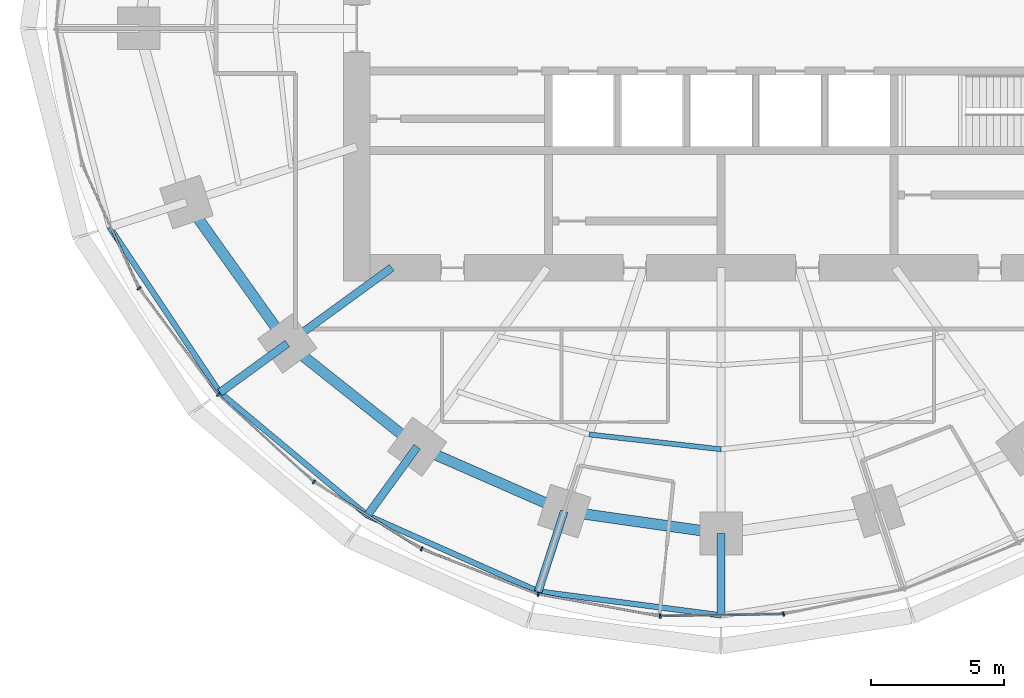
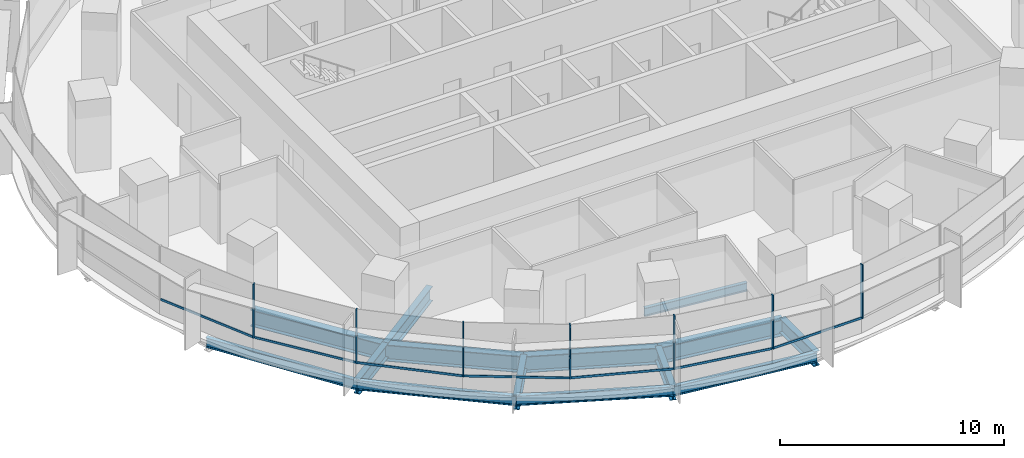
# One storey, part 2 of 14: 14 beams, 14 members, 2 elements without a shape of their own.
"""IFC4 building model written with IfcOpenShell, lengths in metres."""

from ifc_helpers import new_model, si_unit, direction, frame, origin, origin_2d, place, context, subcontext, project, spatial, rectangle, i_section, extrude, material, material_profile, profile_set, type_object, element, aggregate, save


model = new_model("IFC4")

# Units and contexts
model_context = context("Model", 3, precision=1e-05, world=origin(), true_north=direction((0.0, 1.0)))
body_context = subcontext(model_context, "Body", "Model", "MODEL_VIEW")
ifc_project = project(units=[si_unit("LENGTHUNIT", "METRE"), si_unit("AREAUNIT", "SQUARE_METRE"), si_unit("VOLUMEUNIT", "CUBIC_METRE"), si_unit("PLANEANGLEUNIT", "RADIAN"), si_unit("MASSUNIT", "GRAM", prefix="KILO")], contexts=[model_context])

# Site, building, storey
site_placement = place(None, origin())
site = spatial("IfcSite", under=ifc_project, at=site_placement, CompositionType="ELEMENT")
building_placement = place(site_placement, origin())
building = spatial("IfcBuilding", under=site, at=building_placement, Name="Marramba Exchange Tower", CompositionType="ELEMENT")
storey_placement = place(building_placement, frame((0.0, 0.0, 111.89990234375)))
storey = spatial("IfcBuildingStorey", under=building, at=storey_placement, Name="L26", CompositionType="ELEMENT", Elevation=111.89990234375)

# Beams
ifc_material_1 = material(Name="Steel AS/NZS 3679.2 grade 300", Category="steel")
ifc_material_profile_1 = material_profile(ifc_material_1, i_section(OverallWidth=0.300048828125, OverallDepth=0.800048828125, WebThickness=0.013916015625, FlangeThickness=0.031982421875, at=origin_2d()), Name="800WB192")
ifc_profile_set_1 = profile_set([ifc_material_profile_1], Name="Steel AS/NZS 3679.2 grade 300")
beam_type_1 = type_object("IfcBeamType", Name="Cantilever girder 800WB192", PredefinedType="BEAM", material=ifc_profile_set_1)
beam_1_placement = place(storey_placement, frame((-16.3154296875, -11.853759765625, -0.559814453125), z_axis=(-0.809025813822, -0.587773113173, 0.0), x_axis=(0.587773113173, -0.809025813822, 0.0)))
element("IfcBeam", 1, at=beam_1_placement, inside=storey, type_object=beam_type_1, Name="Cantilever girder L26 TC13", PredefinedType="BEAM", context=body_context, shape_type="SweptSolid", body=[
    extrude(i_section(OverallWidth=0.300048828125, OverallDepth=0.800048828125, WebThickness=0.013916015625, FlangeThickness=0.031982421875, at=origin_2d()), origin(), (0.0, 0.0, 1.0), 3.132568359375),
])
beam_2_placement = place(storey_placement, frame((-11.430419921875, -15.732666015625, -0.559814453125), z_axis=(-0.587767308424, -0.809030031054, 0.0), x_axis=(0.809030031054, -0.587767308424, 0.0)))
element("IfcBeam", 2, at=beam_2_placement, inside=storey, type_object=beam_type_1, Name="Cantilever girder L26 TC14", PredefinedType="BEAM", context=body_context, shape_type="SweptSolid", body=[
    extrude(i_section(OverallWidth=0.300048828125, OverallDepth=0.800048828125, WebThickness=0.013916015625, FlangeThickness=0.031982421875, at=origin_2d()), origin(), (0.0, 0.0, 1.0), 3.195556640625),
])
beam_3_placement = place(storey_placement, frame((-5.899658203125, -18.156982421875, -0.559814453125), z_axis=(-0.309018232614, -0.951056113966, 0.0), x_axis=(0.951056113966, -0.309018232614, 0.0)))
element("IfcBeam", 3, at=beam_3_placement, inside=storey, type_object=beam_type_1, Name="Cantilever girder L26 TC15", PredefinedType="BEAM", context=body_context, shape_type="SweptSolid", body=[
    extrude(i_section(OverallWidth=0.300048828125, OverallDepth=0.800048828125, WebThickness=0.013916015625, FlangeThickness=0.031982421875, at=origin_2d()), origin(), (0.0, 0.0, 1.0), 3.173583984375),
])
beam_4_placement = place(storey_placement, frame((0.0, -18.99609375, -0.559814453125), z_axis=(0.0, -1.0, 0.0), x_axis=(1.0, 0.0, 0.0)))
element("IfcBeam", 4, at=beam_4_placement, inside=storey, type_object=beam_type_1, Name="Cantilever girder L26 TC16", PredefinedType="BEAM", context=body_context, shape_type="SweptSolid", body=[
    extrude(i_section(OverallWidth=0.300048828125, OverallDepth=0.800048828125, WebThickness=0.013916015625, FlangeThickness=0.031982421875, at=origin_2d()), origin(), (0.0, 0.0, 1.0), 3.080810546875),
])
ifc_material_2 = material(Name="Steel AS/NZS 3679.1 grade 300", Category="steel")
ifc_material_profile_2 = material_profile(ifc_material_2, i_section(OverallWidth=0.18994140625, OverallDepth=0.4541015625, WebThickness=0.008544921875, FlangeThickness=0.0126953125, FilletRadius=0.011474609375, at=origin_2d()), Name="460UB67.1")
ifc_profile_set_2 = profile_set([ifc_material_profile_2], Name="Steel AS/NZS 3679.1 grade 300")
beam_type_2 = type_object("IfcBeamType", Name="Floor joist 460UB67.1", PredefinedType="JOIST", material=ifc_profile_set_2)
beam_5_placement = place(storey_placement, frame((-4.9619140625, -15.271484375, -0.386962890625), z_axis=(0.993712018573, -0.111966174106, 0.0), x_axis=(0.111966174106, 0.993712018573, 0.0)))
element("IfcBeam", 5, at=beam_5_placement, inside=storey, type_object=beam_type_2, Name="Joist L26 bay 15 row 2", PredefinedType="JOIST", context=body_context, shape_type="SweptSolid", body=[
    extrude(i_section(OverallWidth=0.18994140625, OverallDepth=0.4541015625, WebThickness=0.008544921875, FlangeThickness=0.0126953125, FilletRadius=0.011474609375, at=origin_2d()), origin(), (0.0, 0.0, 1.0), 4.993408203125),
])

# Curtain wall, members
ifc_material_3 = material(Name="Aluminium framing, bronze anodised", Category="aluminium")
curtain_wall_type = type_object("IfcCurtainWallType", Name="Office ribbon curtain wall", PredefinedType="USERDEFINED", material=ifc_material_3)
curtain_wall_1_placement = place(storey_placement, origin())
curtain_wall_1 = element("IfcCurtainWall", 6, at=curtain_wall_1_placement, inside=storey, type_object=curtain_wall_type, Name="Curtain wall CW4 L26 F16-F20", ObjectType="RIBBON CURTAIN WALL", PredefinedType="USERDEFINED")
ifc_material_4 = material(Name="Aluminium mullion, bronze anodised", Category="aluminium")
ifc_material_profile_3 = material_profile(ifc_material_4, rectangle(XDim=0.159912109375, YDim=0.06005859375, at=origin_2d()), Name="CW4 mullion 60x160")
ifc_profile_set_3 = profile_set([ifc_material_profile_3], Name="Aluminium mullion, bronze anodised")
member_type_1 = type_object("IfcMemberType", Name="Office ribbon curtain wall mullion", PredefinedType="MULLION", material=ifc_profile_set_3)
member_1_placement = place(storey_placement, frame((-21.891357421875, -9.778564453125, 0.800048828125), z_axis=(0.0, 0.0, 1.0), x_axis=(0.802014400683, 0.597304697033, 0.0)))
member_1 = element("IfcMember", 7, at=member_1_placement, type_object=member_type_1, Name="CW4 mullion 1", PredefinedType="MULLION", context=body_context, shape_type="SweptSolid", body=[
    extrude(rectangle(XDim=0.159912109375, YDim=0.06005859375, at=origin_2d()), origin(), (0.0, 0.0, 1.0), 2.93994140625),
])
member_2_placement = place(storey_placement, frame((-18.90869140625, -13.774169921875, 0.800048828125), z_axis=(0.0, 0.0, 1.0), x_axis=(0.674995455115, 0.737821886077, 0.0)))
member_2 = element("IfcMember", 8, at=member_2_placement, type_object=member_type_1, Name="CW4 mullion 1", PredefinedType="MULLION", context=body_context, shape_type="SweptSolid", body=[
    extrude(rectangle(XDim=0.159912109375, YDim=0.06005859375, at=origin_2d()), origin(), (0.0, 0.0, 1.0), 2.93994140625),
])
member_3_placement = place(storey_placement, frame((-15.315673828125, -17.053955078125, 0.800048828125), z_axis=(0.0, 0.0, 1.0), x_axis=(0.52942844364, 0.84835459748, 0.0)))
member_3 = element("IfcMember", 9, at=member_3_placement, type_object=member_type_1, Name="CW4 mullion 1", PredefinedType="MULLION", context=body_context, shape_type="SweptSolid", body=[
    extrude(rectangle(XDim=0.159912109375, YDim=0.06005859375, at=origin_2d()), origin(), (0.0, 0.0, 1.0), 2.93994140625),
])

curtain_wall_2_placement = place(storey_placement, origin())
curtain_wall_2 = element("IfcCurtainWall", 10, at=curtain_wall_2_placement, inside=storey, type_object=curtain_wall_type, Name="Curtain wall CW4 L26 F21-F25", ObjectType="RIBBON CURTAIN WALL", PredefinedType="USERDEFINED")
member_4_placement = place(storey_placement, frame((-11.266845703125, -19.573974609375, 0.800048828125), z_axis=(0.0, 0.0, 1.0), x_axis=(0.36292490603, 0.931818390344, 0.0)))
member_4 = element("IfcMember", 11, at=member_4_placement, type_object=member_type_1, Name="CW4 mullion 1", PredefinedType="MULLION", context=body_context, shape_type="SweptSolid", body=[
    extrude(rectangle(XDim=0.159912109375, YDim=0.06005859375, at=origin_2d()), origin(), (0.0, 0.0, 1.0), 2.93994140625),
])
member_5_placement = place(storey_placement, frame((-6.881591796875, -21.27587890625, 0.800048828125), z_axis=(0.0, 0.0, 1.0), x_axis=(0.177992379115, 0.984031865834, 0.0)))
member_5 = element("IfcMember", 12, at=member_5_placement, type_object=member_type_1, Name="CW4 mullion 1", PredefinedType="MULLION", context=body_context, shape_type="SweptSolid", body=[
    extrude(rectangle(XDim=0.159912109375, YDim=0.06005859375, at=origin_2d()), origin(), (0.0, 0.0, 1.0), 2.93994140625),
])
member_6_placement = place(storey_placement, frame((-2.292724609375, -22.099853515625, 0.800048828125), z_axis=(0.0, 0.0, 1.0), x_axis=(-0.015178646521, 0.999884797709, 0.0)))
member_6 = element("IfcMember", 13, at=member_6_placement, type_object=member_type_1, Name="CW4 mullion 1", PredefinedType="MULLION", context=body_context, shape_type="SweptSolid", body=[
    extrude(rectangle(XDim=0.159912109375, YDim=0.06005859375, at=origin_2d()), origin(), (0.0, 0.0, 1.0), 2.93994140625),
])
member_7_placement = place(storey_placement, frame((2.3447265625, -22.02392578125, 0.800048828125), z_axis=(0.0, 0.0, 1.0), x_axis=(-0.202364850159, 0.979310199794, 0.0)))
member_7 = element("IfcMember", 14, at=member_7_placement, type_object=member_type_1, Name="CW4 mullion 1", PredefinedType="MULLION", context=body_context, shape_type="SweptSolid", body=[
    extrude(rectangle(XDim=0.159912109375, YDim=0.06005859375, at=origin_2d()), origin(), (0.0, 0.0, 1.0), 2.93994140625),
])

# Member
ifc_material_5 = material(Name="Aluminium transom, bronze anodised", Category="aluminium")
ifc_material_profile_4 = material_profile(ifc_material_5, rectangle(XDim=0.06005859375, YDim=0.1201171875, at=origin_2d()), Name="CW4 transom 60x120")
ifc_profile_set_4 = profile_set([ifc_material_profile_4], Name="Aluminium transom, bronze anodised")
member_type_2 = type_object("IfcMemberType", Name="Office ribbon curtain wall transom", PredefinedType="USERDEFINED", material=ifc_profile_set_4)
member_8_placement = place(storey_placement, frame((-24.013671875, -5.1640625, 0.830078125), z_axis=(0.416732948599, -0.909028959688, 0.0), x_axis=(0.909028959688, 0.416732948599, 0.0)))
member_8 = element("IfcMember", 15, at=member_8_placement, type_object=member_type_2, Name="CW4 sill transom", ObjectType="TRANSOM", PredefinedType="USERDEFINED", context=body_context, shape_type="SweptSolid", body=[
    extrude(rectangle(XDim=0.06005859375, YDim=0.1201171875, at=origin_2d()), origin(), (0.0, 0.0, 1.0), 5.050048828125),
])

member_9_placement = place(storey_placement, frame((-21.873291015625, -9.802734375, 0.830078125), z_axis=(0.597300736643, -0.80201735019, 0.0), x_axis=(0.80201735019, 0.597300736643, 0.0)))
member_9 = element("IfcMember", 16, at=member_9_placement, type_object=member_type_2, Name="CW4 sill transom", ObjectType="TRANSOM", PredefinedType="USERDEFINED", context=body_context, shape_type="SweptSolid", body=[
    extrude(rectangle(XDim=0.06005859375, YDim=0.1201171875, at=origin_2d()), origin(), (0.0, 0.0, 1.0), 4.926513671875),
])

member_10_placement = place(storey_placement, frame((-18.886474609375, -13.79443359375, 0.830078125), z_axis=(0.737807565469, -0.675011108306, 0.0), x_axis=(0.675011108306, 0.737807565469, 0.0)))
member_10 = element("IfcMember", 17, at=member_10_placement, type_object=member_type_2, Name="CW4 sill transom", ObjectType="TRANSOM", PredefinedType="USERDEFINED", context=body_context, shape_type="SweptSolid", body=[
    extrude(rectangle(XDim=0.06005859375, YDim=0.1201171875, at=origin_2d()), origin(), (0.0, 0.0, 1.0), 4.805419921875),
])

member_11_placement = place(storey_placement, frame((-15.2900390625, -17.06982421875, 0.830078125), z_axis=(0.848373790728, -0.529397687193, 0.0), x_axis=(0.529397687193, 0.848373790728, 0.0)))
member_11 = element("IfcMember", 18, at=member_11_placement, type_object=member_type_2, Name="CW4 sill transom", ObjectType="TRANSOM", PredefinedType="USERDEFINED", context=body_context, shape_type="SweptSolid", body=[
    extrude(rectangle(XDim=0.06005859375, YDim=0.1201171875, at=origin_2d()), origin(), (0.0, 0.0, 1.0), 4.70947265625),
])

aggregate(curtain_wall_1, [member_8, member_1, member_9, member_2, member_10, member_3, member_11])

member_12_placement = place(storey_placement, frame((-11.23876953125, -19.5849609375, 0.830078125), z_axis=(0.931817106708, -0.362928201778, 0.0), x_axis=(0.362928201778, 0.931817106708, 0.0)))
member_12 = element("IfcMember", 19, at=member_12_placement, type_object=member_type_2, Name="CW4 sill transom", ObjectType="TRANSOM", PredefinedType="USERDEFINED", context=body_context, shape_type="SweptSolid", body=[
    extrude(rectangle(XDim=0.06005859375, YDim=0.1201171875, at=origin_2d()), origin(), (0.0, 0.0, 1.0), 4.644287109375),
])

member_13_placement = place(storey_placement, frame((-6.85205078125, -21.281005859375, 0.830078125), z_axis=(0.98402906811, -0.178007845654, 0.0), x_axis=(0.178007845654, 0.98402906811, 0.0)))
member_13 = element("IfcMember", 20, at=member_13_placement, type_object=member_type_2, Name="CW4 sill transom", ObjectType="TRANSOM", PredefinedType="USERDEFINED", context=body_context, shape_type="SweptSolid", body=[
    extrude(rectangle(XDim=0.06005859375, YDim=0.1201171875, at=origin_2d()), origin(), (0.0, 0.0, 1.0), 4.602783203125),
])

member_14_placement = place(storey_placement, frame((-2.262939453125, -22.099365234375, 0.830078125), z_axis=(0.999885345665, 0.015142507235, 0.0), x_axis=(-0.015142507235, 0.999885345665, 0.0)))
member_14 = element("IfcMember", 21, at=member_14_placement, type_object=member_type_2, Name="CW4 sill transom", ObjectType="TRANSOM", PredefinedType="USERDEFINED", context=body_context, shape_type="SweptSolid", body=[
    extrude(rectangle(XDim=0.06005859375, YDim=0.1201171875, at=origin_2d()), origin(), (0.0, 0.0, 1.0), 4.578857421875),
])

aggregate(curtain_wall_2, [member_4, member_12, member_5, member_13, member_6, member_14, member_7])

# Beams
ifc_material_profile_5 = material_profile(ifc_material_1, i_section(OverallWidth=0.300048828125, OverallDepth=0.800048828125, WebThickness=0.013916015625, FlangeThickness=0.031982421875, at=origin_2d()), Name="800WB192")
ifc_profile_set_5 = profile_set([ifc_material_profile_5], Name="Steel AS/NZS 3679.2 grade 300")
beam_type_3 = type_object("IfcBeamType", Name="Radial girder 800WB192", PredefinedType="BEAM", material=ifc_profile_set_5)
beam_6_placement = place(storey_placement, frame((-12.387451171875, -9.0, -0.559814453125), z_axis=(-0.809025189606, -0.58777397236, 0.0), x_axis=(0.58777397236, -0.809025189606, 0.0)))
element("IfcBeam", 22, at=beam_6_placement, inside=storey, type_object=beam_type_3, Name="Radial girder L26 TC13", PredefinedType="BEAM", context=body_context, shape_type="SweptSolid", body=[
    extrude(i_section(OverallWidth=0.300048828125, OverallDepth=0.800048828125, WebThickness=0.013916015625, FlangeThickness=0.031982421875, at=origin_2d()), origin(), (0.0, 0.0, 1.0), 4.855224609375),
])
ifc_material_profile_6 = material_profile(ifc_material_1, i_section(OverallWidth=0.39990234375, OverallDepth=0.89990234375, WebThickness=0.01611328125, FlangeThickness=0.031982421875, at=origin_2d()), Name="900WB282")
ifc_profile_set_6 = profile_set([ifc_material_profile_6], Name="Steel AS/NZS 3679.2 grade 300")
beam_type_4 = type_object("IfcBeamType", Name="Ring beam 900WB282", PredefinedType="SPANDREL", material=ifc_profile_set_6)
beam_7_placement = place(storey_placement, frame((-20.109375, -6.533935546875, -0.60986328125), z_axis=(0.580637181111, -0.814162430914, 0.0), x_axis=(0.814162430914, 0.580637181111, 0.0)))
element("IfcBeam", 23, at=beam_7_placement, inside=storey, type_object=beam_type_4, Name="Ring beam L26 TC12-TC13", PredefinedType="SPANDREL", context=body_context, shape_type="SweptSolid", body=[
    extrude(i_section(OverallWidth=0.39990234375, OverallDepth=0.89990234375, WebThickness=0.01611328125, FlangeThickness=0.031982421875, at=origin_2d()), origin(), (0.0, 0.0, 1.0), 6.5341796875),
])
beam_8_placement = place(storey_placement, frame((-16.3154296875, -11.853759765625, -0.60986328125), z_axis=(0.783139438128, -0.621846138887, 0.0), x_axis=(0.621846138887, 0.783139438128, 0.0)))
element("IfcBeam", 24, at=beam_8_placement, inside=storey, type_object=beam_type_4, Name="Ring beam L26 TC13-TC14", PredefinedType="SPANDREL", context=body_context, shape_type="SweptSolid", body=[
    extrude(i_section(OverallWidth=0.39990234375, OverallDepth=0.89990234375, WebThickness=0.01611328125, FlangeThickness=0.031982421875, at=origin_2d()), origin(), (0.0, 0.0, 1.0), 6.23779296875),
])
beam_9_placement = place(storey_placement, frame((-11.430419921875, -15.732666015625, -0.60986328125), z_axis=(0.915876892158, -0.4014592363, 0.0), x_axis=(0.4014592363, 0.915876892158, 0.0)))
element("IfcBeam", 25, at=beam_9_placement, inside=storey, type_object=beam_type_4, Name="Ring beam L26 TC14-TC15", PredefinedType="SPANDREL", context=body_context, shape_type="SweptSolid", body=[
    extrude(i_section(OverallWidth=0.39990234375, OverallDepth=0.89990234375, WebThickness=0.01611328125, FlangeThickness=0.031982421875, at=origin_2d()), origin(), (0.0, 0.0, 1.0), 6.038818359375),
])
beam_10_placement = place(storey_placement, frame((-5.899658203125, -18.156982421875, -0.60986328125), z_axis=(0.990036163016, -0.140813337152, 0.0), x_axis=(0.140813337152, 0.990036163016, 0.0)))
element("IfcBeam", 26, at=beam_10_placement, inside=storey, type_object=beam_type_4, Name="Ring beam L26 TC15-TC16", PredefinedType="SPANDREL", context=body_context, shape_type="SweptSolid", body=[
    extrude(i_section(OverallWidth=0.39990234375, OverallDepth=0.89990234375, WebThickness=0.01611328125, FlangeThickness=0.031982421875, at=origin_2d()), origin(), (0.0, 0.0, 1.0), 5.958984375),
])
ifc_material_profile_7 = material_profile(ifc_material_2, i_section(OverallWidth=0.208984375, OverallDepth=0.528076171875, WebThickness=0.009521484375, FlangeThickness=0.01318359375, FilletRadius=0.013916015625, at=origin_2d()), Name="530UB82.0")
ifc_profile_set_7 = profile_set([ifc_material_profile_7], Name="Steel AS/NZS 3679.1 grade 300")
beam_type_5 = type_object("IfcBeamType", Name="Slab edge beam 530UB82.0", PredefinedType="SPANDREL", material=ifc_profile_set_7)
beam_11_placement = place(storey_placement, frame((-23.00341796875, -7.47412109375, -0.423828125), z_axis=(0.555280023791, -0.831663450669, 0.0), x_axis=(0.831663450669, 0.555280023791, 0.0)))
element("IfcBeam", 27, at=beam_11_placement, inside=storey, type_object=beam_type_5, Name="Slab edge beam L26 TC12-TC13", PredefinedType="SPANDREL", context=body_context, shape_type="SweptSolid", body=[
    extrude(i_section(OverallWidth=0.208984375, OverallDepth=0.528076171875, WebThickness=0.009521484375, FlangeThickness=0.01318359375, FilletRadius=0.013916015625, at=origin_2d()), origin(), (0.0, 0.0, 1.0), 7.480224609375),
])
beam_12_placement = place(storey_placement, frame((-18.849853515625, -13.695068359375, -0.423828125), z_axis=(0.767874532322, -0.640600267415, 0.0), x_axis=(0.640600267415, 0.767874532322, 0.0)))
element("IfcBeam", 28, at=beam_12_placement, inside=storey, type_object=beam_type_5, Name="Slab edge beam L26 TC13-TC14", PredefinedType="SPANDREL", context=body_context, shape_type="SweptSolid", body=[
    extrude(i_section(OverallWidth=0.208984375, OverallDepth=0.528076171875, WebThickness=0.009521484375, FlangeThickness=0.01318359375, FilletRadius=0.013916015625, at=origin_2d()), origin(), (0.0, 0.0, 1.0), 7.21630859375),
])
beam_13_placement = place(storey_placement, frame((-13.30859375, -18.31787109375, -0.423828125), z_axis=(0.913788648873, -0.406189986571, 0.0), x_axis=(0.406189986571, 0.913788648873, 0.0)))
element("IfcBeam", 29, at=beam_13_placement, inside=storey, type_object=beam_type_5, Name="Slab edge beam L26 TC14-TC15", PredefinedType="SPANDREL", context=body_context, shape_type="SweptSolid", body=[
    extrude(i_section(OverallWidth=0.208984375, OverallDepth=0.528076171875, WebThickness=0.009521484375, FlangeThickness=0.01318359375, FilletRadius=0.013916015625, at=origin_2d()), origin(), (0.0, 0.0, 1.0), 7.03466796875),
])
beam_14_placement = place(storey_placement, frame((-6.88037109375, -21.17529296875, -0.423828125), z_axis=(0.991523133546, -0.129930272237, 0.0), x_axis=(0.129930272237, 0.991523133546, 0.0)))
element("IfcBeam", 30, at=beam_14_placement, inside=storey, type_object=beam_type_5, Name="Slab edge beam L26 TC15-TC16", PredefinedType="SPANDREL", context=body_context, shape_type="SweptSolid", body=[
    extrude(i_section(OverallWidth=0.208984375, OverallDepth=0.528076171875, WebThickness=0.009521484375, FlangeThickness=0.01318359375, FilletRadius=0.013916015625, at=origin_2d()), origin(), (0.0, 0.0, 1.0), 6.939208984375),
])

save(model, "model.ifc")
